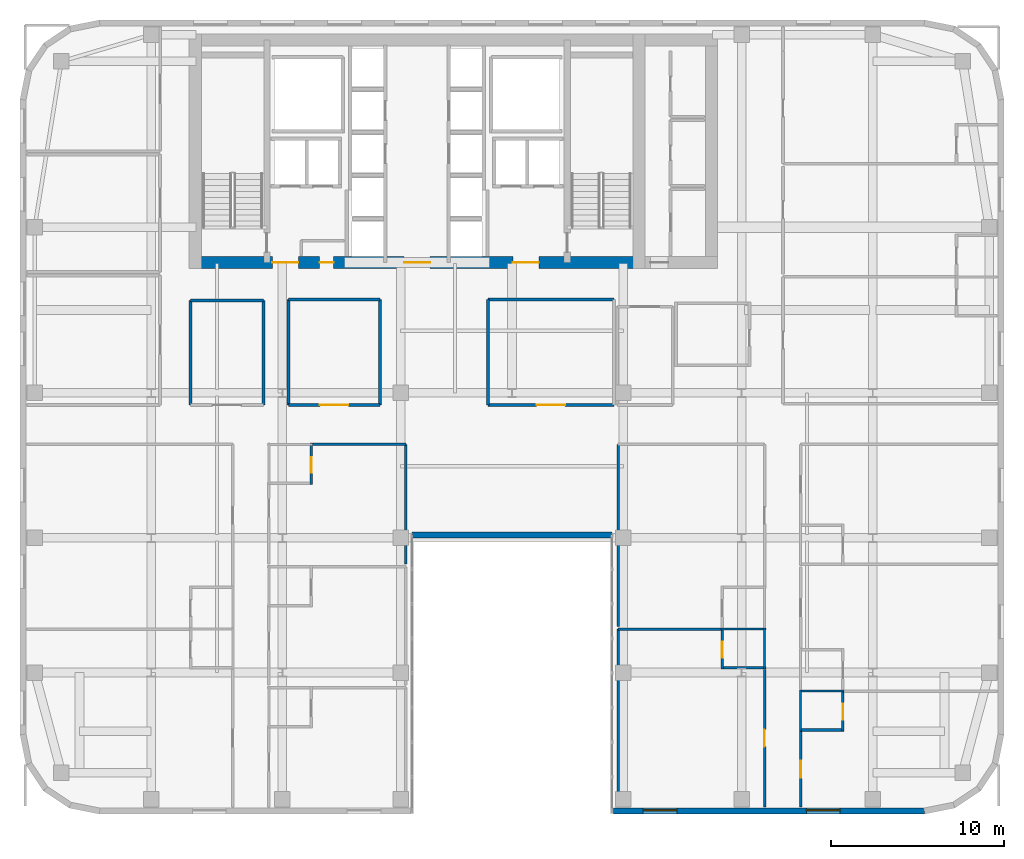
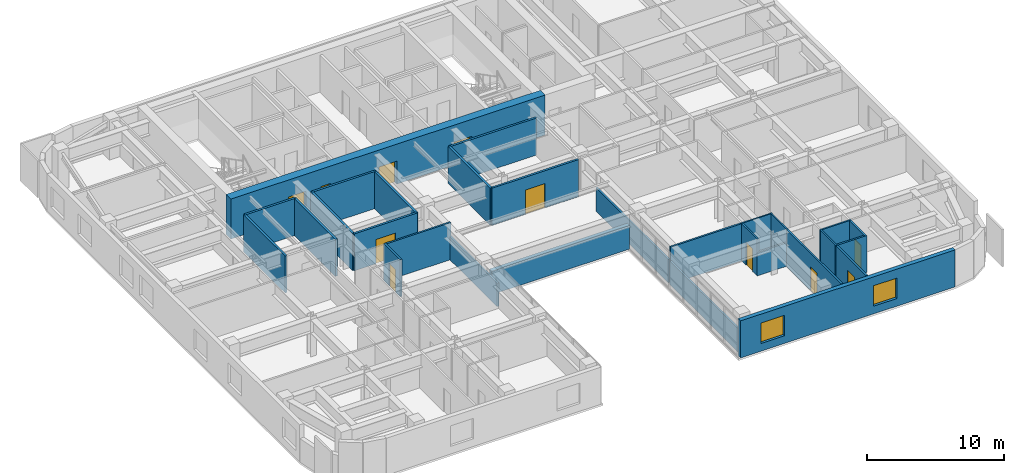
# One storey, part 10 of 15: 29 walls, 11 doors, 2 windows, 13 openings.
"""IFC4 building model written with IfcOpenShell, lengths in metres."""

from ifc_helpers import new_model, si_unit, direction, frame, frame_2d, origin, place, context, subcontext, project, spatial, rectangle, extrude, source, transform, mapped, material, layer, layer_set, type_object, type_shapes, element, fill, save


model = new_model("IFC4")

# Units and contexts
model_context = context("Model", 3, precision=1e-05, world=origin(), true_north=direction((0.0, 1.0)))
body_context = subcontext(model_context, "Body", "Model", "MODEL_VIEW")
ifc_project = project(units=[si_unit("LENGTHUNIT", "METRE"), si_unit("AREAUNIT", "SQUARE_METRE"), si_unit("VOLUMEUNIT", "CUBIC_METRE"), si_unit("PLANEANGLEUNIT", "RADIAN"), si_unit("MASSUNIT", "GRAM", prefix="KILO")], contexts=[model_context])

# Site, building, storey
site_placement = place(None, origin())
site = spatial("IfcSite", under=ifc_project, at=site_placement, CompositionType="ELEMENT")
building_placement = place(site_placement, origin())
building = spatial("IfcBuilding", under=site, at=building_placement, Name="Tolvann Quenvar Hotel", CompositionType="ELEMENT")
storey_placement = place(building_placement, frame((0.0, 0.0, 143.5)))
storey = spatial("IfcBuildingStorey", under=building, at=storey_placement, Name="L37", CompositionType="ELEMENT", Elevation=143.5)

# Wall, openings, doors
ifc_material_1 = material(Name="Concrete S65 (65 MPa)", Category="concrete")
ifc_layer_1 = layer(ifc_material_1, 0.699951171875)
ifc_layer_set_1 = layer_set([ifc_layer_1], Name="Concrete S65 (65 MPa)")
wall_type_1 = type_object("IfcWallType", Name="WALL_CORE_700", PredefinedType="SHEAR", material=ifc_layer_set_1)
wall_1_placement = place(storey_placement, frame((9.800048828125, 31.949951171875, 0.0), z_axis=(0.0, 0.0, 1.0), x_axis=(1.0, 0.0, 0.0)))
wall_1 = element("IfcWall", 1, at=wall_1_placement, inside=storey, type_object=wall_type_1, Name="Rear Core S Shear Wall (L37)", PredefinedType="SHEAR", context=body_context, shape_type="SweptSolid", body=[
    extrude(rectangle(XDim=26.39990234375, YDim=0.699951171875, at=frame_2d((13.199951171875, 0.0))), origin(), (0.0, 0.0, 1.0), 3.550048828125),
])
opening_1_placement = place(wall_1_placement, frame((6.320068359375, 0.0, 0.0), z_axis=(0.0, 0.0, 1.0), x_axis=(-1.0, 0.0, 0.0)))
opening_1 = element("IfcOpeningElement", 2, at=opening_1_placement, cuts=wall_1, Name="Opening FD-60D", PredefinedType="OPENING", context=body_context, shape_type="SweptSolid", body=[
    extrude(rectangle(XDim=1.5, YDim=2.0400390625, at=frame_2d((0.75, 1.02001953125))), frame((0.0, 0.35986328125, 0.0), z_axis=(0.0, -1.0, 0.0), x_axis=(1.0, 0.0, 0.0)), (0.0, 0.0, 1.0), 0.719970703125),
])
opening_2_placement = place(wall_1_placement, frame((13.949951171875, 0.0, 0.0), z_axis=(0.0, 0.0, 1.0), x_axis=(-1.0, 0.0, 0.0)))
opening_2 = element("IfcOpeningElement", 3, at=opening_2_placement, cuts=wall_1, Name="Opening FD-60D", PredefinedType="OPENING", context=body_context, shape_type="SweptSolid", body=[
    extrude(rectangle(XDim=1.5, YDim=2.0400390625, at=frame_2d((0.75, 1.02001953125))), frame((0.0, 0.35986328125, 0.0), z_axis=(0.0, -1.0, 0.0), x_axis=(1.0, 0.0, 0.0)), (0.0, 0.0, 1.0), 0.719970703125),
])
opening_3_placement = place(wall_1_placement, frame((20.25, 0.0, 0.0), z_axis=(0.0, 0.0, 1.0), x_axis=(-1.0, 0.0, 0.0)))
opening_3 = element("IfcOpeningElement", 4, at=opening_3_placement, cuts=wall_1, Name="Opening FD-60D", PredefinedType="OPENING", context=body_context, shape_type="SweptSolid", body=[
    extrude(rectangle(XDim=1.5, YDim=2.0400390625, at=frame_2d((0.75, 1.02001953125))), frame((0.0, 0.35986328125, 0.0), z_axis=(0.0, -1.0, 0.0), x_axis=(1.0, 0.0, 0.0)), (0.0, 0.0, 1.0), 0.719970703125),
])
opening_4_placement = place(wall_1_placement, frame((8.3701171875, 0.0, 0.0), z_axis=(0.0, 0.0, 1.0), x_axis=(-1.0, 0.0, 0.0)))
opening_4 = element("IfcOpeningElement", 5, at=opening_4_placement, cuts=wall_1, Name="Opening HD-02", PredefinedType="OPENING", context=body_context, shape_type="SweptSolid", body=[
    extrude(rectangle(XDim=0.820068359375, YDim=2.010009765625, at=frame_2d((0.41015625, 1.0048828125))), frame((0.0, 0.35986328125, 0.0), z_axis=(0.0, -1.0, 0.0), x_axis=(1.0, 0.0, 0.0)), (0.0, 0.0, 1.0), 0.719970703125),
])
ifc_material_2 = material(Name="Solid-core American oak acoustic fire door leaf in steel frame", Category="steel")
door_type_1 = type_object("IfcDoorType", Name="DOOR_FIRE_LOBBY_1500", OperationType="NOTDEFINED", PredefinedType="DOOR", material=ifc_material_2)
shared_shape_1 = source(origin(), body_context, "Body", "SweptSolid", [
    extrude(rectangle(XDim=1.5, YDim=2.0400390625, at=frame_2d((0.75, 1.02001953125))), frame((0.0, 0.02490234375, 0.0), z_axis=(0.0, -1.0, 0.0), x_axis=(1.0, 0.0, 0.0)), (0.0, 0.0, 1.0), 0.050048828125),
])
type_shapes(door_type_1, [shared_shape_1])
door_1_placement = place(opening_1_placement, origin())
door_1 = element("IfcDoor", 6, at=door_1_placement, inside=storey, type_object=door_type_1, Name="Core Lobby Fire Door FFW (L37)", OperationType="DOUBLE_DOOR_SINGLE_SWING", OverallHeight=2.0400390625, OverallWidth=1.5, PredefinedType="DOOR", context=body_context, shape_type="MappedRepresentation", body=[
    mapped(shared_shape_1, transform((0.0, 0.0, 0.0), x_axis=(1.0, 0.0, 0.0), y_axis=(0.0, 1.0, 0.0), z_axis=(0.0, 0.0, 1.0), scale=1.0)),
])
fill(opening_1, door_1)
door_2_placement = place(opening_2_placement, origin())
door_2 = element("IfcDoor", 7, at=door_2_placement, inside=storey, type_object=door_type_1, Name="Core Lobby Fire Door CLOB (L37)", OperationType="DOUBLE_DOOR_SINGLE_SWING", OverallHeight=2.0400390625, OverallWidth=1.5, PredefinedType="DOOR", context=body_context, shape_type="MappedRepresentation", body=[
    mapped(shared_shape_1, transform((0.0, 0.0, 0.0), x_axis=(1.0, 0.0, 0.0), y_axis=(0.0, 1.0, 0.0), z_axis=(0.0, 0.0, 1.0), scale=1.0)),
])
fill(opening_2, door_2)
door_3_placement = place(opening_3_placement, origin())
door_3 = element("IfcDoor", 8, at=door_3_placement, inside=storey, type_object=door_type_1, Name="Core Lobby Fire Door FFE (L37)", OperationType="DOUBLE_DOOR_SINGLE_SWING", OverallHeight=2.0400390625, OverallWidth=1.5, PredefinedType="DOOR", context=body_context, shape_type="MappedRepresentation", body=[
    mapped(shared_shape_1, transform((0.0, 0.0, 0.0), x_axis=(1.0, 0.0, 0.0), y_axis=(0.0, 1.0, 0.0), z_axis=(0.0, 0.0, 1.0), scale=1.0)),
])
fill(opening_3, door_3)
ifc_material_3 = material(Name="Pressed galvanised steel fire-rated door set", Category="steel")
door_type_2 = type_object("IfcDoorType", Name="DOOR_STORE_820", OperationType="NOTDEFINED", PredefinedType="DOOR", material=ifc_material_3)
shared_shape_2 = source(origin(), body_context, "Body", "SweptSolid", [
    extrude(rectangle(XDim=0.820068359375, YDim=2.010009765625, at=frame_2d((0.41015625, 1.0048828125))), frame((0.0, 0.02490234375, 0.0), z_axis=(0.0, -1.0, 0.0), x_axis=(1.0, 0.0, 0.0)), (0.0, 0.0, 1.0), 0.050048828125),
])
type_shapes(door_type_2, [shared_shape_2])
door_4_placement = place(opening_4_placement, origin())
door_4 = element("IfcDoor", 9, at=door_4_placement, inside=storey, type_object=door_type_2, Name="Core Linen Store Fire Door (L37)", OperationType="SINGLE_SWING_LEFT", OverallHeight=2.010009765625, OverallWidth=0.820068359375, PredefinedType="DOOR", context=body_context, shape_type="MappedRepresentation", body=[
    mapped(shared_shape_2, transform((0.0, 0.0, 0.0), x_axis=(1.0, 0.0, 0.0), y_axis=(0.0, 1.0, 0.0), z_axis=(0.0, 0.0, 1.0), scale=1.0)),
])
fill(opening_4, door_4)

# Wall
ifc_material_4 = material(Name="Kiln-fired red and buff architectural clay brickwork and terracotta masonry", Category="masonry")
ifc_layer_2 = layer(ifc_material_4, 0.35009765625)
ifc_layer_set_2 = layer_set([ifc_layer_2], Name="Kiln-fired red and buff architectural clay brickwork and terracotta masonry")
wall_type_2 = type_object("IfcWallType", Name="WALL_EXT_BRICK_350", PredefinedType="SOLIDWALL", material=ifc_layer_set_2)
wall_2_placement = place(storey_placement, frame((22.7099609375, 16.175048828125, 0.0), z_axis=(0.0, 0.0, 1.0), x_axis=(1.0, 0.0, 0.0)))
element("IfcWall", 10, at=wall_2_placement, inside=storey, type_object=wall_type_2, Name="Exterior Chicago Brick Wall L37-E06", PredefinedType="SOLIDWALL", context=body_context, shape_type="SweptSolid", body=[
    extrude(rectangle(XDim=11.580078125, YDim=0.35009765625, at=frame_2d((5.7900390625, 0.0))), origin(), (0.0, 0.0, 1.0), 2.080078125),
])

# Wall, openings, windows
wall_3_placement = place(storey_placement, frame((34.375, 0.175048828125, 0.0), z_axis=(0.0, 0.0, 1.0), x_axis=(1.0, 0.0, 0.0)))
wall_3 = element("IfcWall", 11, at=wall_3_placement, inside=storey, type_object=wall_type_2, Name="Exterior Chicago Brick Wall L37-E08", PredefinedType="SOLIDWALL", context=body_context, shape_type="SweptSolid", body=[
    extrude(rectangle(XDim=18.0078125, YDim=0.35009765625, at=frame_2d((9.00390625, 0.0))), origin(), (0.0, 0.0, 1.0), 3.2900390625),
])
opening_5_placement = place(wall_3_placement, frame((1.72607421875, 0.0, 0.679931640625)))
opening_5 = element("IfcOpeningElement", 12, at=opening_5_placement, cuts=wall_3, Name="Opening W-10", PredefinedType="OPENING", context=body_context, shape_type="SweptSolid", body=[
    extrude(rectangle(XDim=1.949951171875, YDim=1.820068359375, at=frame_2d((0.97509765625, 0.91015625))), frame((0.0, 0.18505859375, 0.0), z_axis=(0.0, -1.0, 0.0), x_axis=(1.0, 0.0, 0.0)), (0.0, 0.0, 1.0), 0.3701171875),
])
opening_6_placement = place(wall_3_placement, frame((11.179931640625, 0.0, 0.679931640625)))
opening_6 = element("IfcOpeningElement", 13, at=opening_6_placement, cuts=wall_3, Name="Opening W-10", PredefinedType="OPENING", context=body_context, shape_type="SweptSolid", body=[
    extrude(rectangle(XDim=1.949951171875, YDim=1.820068359375, at=frame_2d((0.97509765625, 0.91015625))), frame((0.0, 0.18505859375, 0.0), z_axis=(0.0, -1.0, 0.0), x_axis=(1.0, 0.0, 0.0)), (0.0, 0.0, 1.0), 0.3701171875),
])
ifc_material_5 = material(Name="Thermally broken bronze-anodised aluminium frame with double low-E glazing", Category="aluminium")
window_type = type_object("IfcWindowType", Name="WIN_CLB_1950x1850", PartitioningType="DOUBLE_PANEL_VERTICAL", PredefinedType="WINDOW", material=ifc_material_5)
shared_shape_3 = source(origin(), body_context, "Body", "SweptSolid", [
    extrude(rectangle(XDim=1.949951171875, YDim=1.820068359375, at=frame_2d((0.97509765625, 0.91015625))), frame((0.0, 0.090087890625, 0.0), z_axis=(0.0, -1.0, 0.0), x_axis=(1.0, 0.0, 0.0)), (0.0, 0.0, 1.0), 0.06005859375),
])
type_shapes(window_type, [shared_shape_3])
window_1_placement = place(opening_5_placement, origin())
window_1 = element("IfcWindow", 14, at=window_1_placement, inside=storey, type_object=window_type, Name="Chicago Window W-10 (EW-L37-E08-W01)", OverallHeight=1.820068359375, OverallWidth=1.949951171875, PartitioningType="DOUBLE_PANEL_VERTICAL", PredefinedType="WINDOW", context=body_context, shape_type="MappedRepresentation", body=[
    mapped(shared_shape_3, transform((0.0, 0.0, 0.0), x_axis=(1.0, 0.0, 0.0), y_axis=(0.0, 1.0, 0.0), z_axis=(0.0, 0.0, 1.0), scale=1.0)),
])
fill(opening_5, window_1)
window_2_placement = place(opening_6_placement, origin())
window_2 = element("IfcWindow", 15, at=window_2_placement, inside=storey, type_object=window_type, Name="Chicago Window W-10 (EW-L37-E08-W02)", OverallHeight=1.820068359375, OverallWidth=1.949951171875, PartitioningType="DOUBLE_PANEL_VERTICAL", PredefinedType="WINDOW", context=body_context, shape_type="MappedRepresentation", body=[
    mapped(shared_shape_3, transform((0.0, 0.0, 0.0), x_axis=(1.0, 0.0, 0.0), y_axis=(0.0, 1.0, 0.0), z_axis=(0.0, 0.0, 1.0), scale=1.0)),
])
fill(opening_6, window_2)

# Walls
ifc_material_6 = material(Name="Acoustic twin-stud fire-rated gypsum plasterboard partition")
ifc_layer_3 = layer(ifc_material_6, 0.179931640625)
ifc_layer_set_3 = layer_set([ifc_layer_3], Name="Acoustic twin-stud fire-rated gypsum plasterboard partition")
wall_type_3 = type_object("IfcWallType", Name="WALL_PART_ACOUSTIC_180", PredefinedType="PARTITIONING", material=ifc_layer_set_3)
wall_4_placement = place(storey_placement, frame((9.8798828125, 29.75, 0.0), z_axis=(0.0, 0.0, 1.0), x_axis=(1.0, 0.0, 0.0)))
element("IfcWall", 16, at=wall_4_placement, inside=storey, type_object=wall_type_3, Name="Interior Partition PT-SPC-L37-MSP-W-N", PredefinedType="PARTITIONING", context=body_context, shape_type="SweptSolid", body=[
    extrude(rectangle(XDim=4.22021484375, YDim=0.179931640625, at=frame_2d((2.110107421875, 0.0))), origin(), (0.0, 0.0, 1.0), 3.2900390625),
])
for number, where, z_axis, x_axis, name in (
    (17, (9.8798828125, 23.699951171875, 0.0), (0.0, 0.0, 1.0), (0.0, 1.0, 0.0), "Interior Partition PT-SPC-L37-MSP-W-W"),
    (18, (14.10009765625, 23.699951171875, 0.0), (0.0, 0.0, 1.0), (0.0, 1.0, 0.0), "Interior Partition PT-SPC-L37-MSP-W-E"),
):
    element("IfcWall", number, at=place(storey_placement, frame(where, z_axis=z_axis, x_axis=x_axis)), inside=storey, type_object=wall_type_3, Name=name, PredefinedType="PARTITIONING", context=body_context, shape_type="SweptSolid", body=[
        extrude(rectangle(XDim=6.050048828125, YDim=0.179931640625, at=frame_2d((3.02490234375, 0.0))), origin(), (0.0, 0.0, 1.0), 3.2900390625),
    ])

# Wall, opening, door
wall_5_placement = place(storey_placement, frame((27.10009765625, 23.699951171875, 0.0), z_axis=(0.0, 0.0, 1.0), x_axis=(1.0, 0.0, 0.0)))
wall_5 = element("IfcWall", 19, at=wall_5_placement, inside=storey, type_object=wall_type_3, Name="Interior Partition PT-SPC-L37-MSP-C-S", PredefinedType="PARTITIONING", context=body_context, shape_type="SweptSolid", body=[
    extrude(rectangle(XDim=7.2998046875, YDim=0.179931640625, at=frame_2d((3.64990234375, 0.0))), origin(), (0.0, 0.0, 1.0), 3.2900390625),
])
opening_7_placement = place(wall_5_placement, frame((2.824951171875, 0.0, 0.0)))
opening_7 = element("IfcOpeningElement", 20, at=opening_7_placement, cuts=wall_5, Name="Opening AD-01", PredefinedType="OPENING", context=body_context, shape_type="SweptSolid", body=[
    extrude(rectangle(XDim=1.64990234375, YDim=2.14990234375, at=frame_2d((0.824951171875, 1.074951171875))), frame((0.0, 0.10009765625, 0.0), z_axis=(0.0, -1.0, 0.0), x_axis=(1.0, 0.0, 0.0)), (0.0, 0.0, 1.0), 0.199951171875),
])
door_type_3 = type_object("IfcDoorType", Name="DOOR_SALON_1650", OperationType="NOTDEFINED", PredefinedType="DOOR", material=ifc_material_2)
shared_shape_4 = source(origin(), body_context, "Body", "SweptSolid", [
    extrude(rectangle(XDim=1.64990234375, YDim=2.14990234375, at=frame_2d((0.824951171875, 1.074951171875))), frame((0.0, 0.02490234375, 0.0), z_axis=(0.0, -1.0, 0.0), x_axis=(1.0, 0.0, 0.0)), (0.0, 0.0, 1.0), 0.050048828125),
])
type_shapes(door_type_3, [shared_shape_4])
door_5_placement = place(opening_7_placement, origin())
door_5 = element("IfcDoor", 21, at=door_5_placement, inside=storey, type_object=door_type_3, Name="Interior Door DOOR-SPC-L37-MSP-C", OperationType="DOUBLE_DOOR_SINGLE_SWING", OverallHeight=2.14990234375, OverallWidth=1.64990234375, PredefinedType="DOOR", context=body_context, shape_type="MappedRepresentation", body=[
    mapped(shared_shape_4, transform((0.0, 0.0, 0.0), x_axis=(1.0, 0.0, 0.0), y_axis=(0.0, 1.0, 0.0), z_axis=(0.0, 0.0, 1.0), scale=1.0)),
])
fill(opening_7, door_5)

# Walls
wall_6_placement = place(storey_placement, frame((27.10009765625, 29.800048828125, 0.0), z_axis=(0.0, 0.0, 1.0), x_axis=(1.0, 0.0, 0.0)))
element("IfcWall", 22, at=wall_6_placement, inside=storey, type_object=wall_type_3, Name="Interior Partition PT-SPC-L37-MSP-C-N", PredefinedType="PARTITIONING", context=body_context, shape_type="SweptSolid", body=[
    extrude(rectangle(XDim=7.2998046875, YDim=0.179931640625, at=frame_2d((3.64990234375, 0.0))), origin(), (0.0, 0.0, 1.0), 3.2900390625),
])
wall_7_placement = place(storey_placement, frame((27.10009765625, 23.699951171875, 0.0), z_axis=(0.0, 0.0, 1.0), x_axis=(0.0, 1.0, 0.0)))
element("IfcWall", 23, at=wall_7_placement, inside=storey, type_object=wall_type_3, Name="Interior Partition PT-SPC-L37-MSP-C-W", PredefinedType="PARTITIONING", context=body_context, shape_type="SweptSolid", body=[
    extrude(rectangle(XDim=6.10009765625, YDim=0.179931640625, at=frame_2d((3.050048828125, 0.0))), origin(), (0.0, 0.0, 1.0), 3.2900390625),
])

# Wall, opening, door
wall_8_placement = place(storey_placement, frame((15.550048828125, 23.699951171875, 0.0), z_axis=(0.0, 0.0, 1.0), x_axis=(1.0, 0.0, 0.0)))
wall_8 = element("IfcWall", 24, at=wall_8_placement, inside=storey, type_object=wall_type_3, Name="Interior Partition PT-SPC-L37-MSP-N-S", PredefinedType="PARTITIONING", context=body_context, shape_type="SweptSolid", body=[
    extrude(rectangle(XDim=5.300048828125, YDim=0.179931640625, at=frame_2d((2.64990234375, 0.0))), origin(), (0.0, 0.0, 1.0), 3.2900390625),
])
opening_8_placement = place(wall_8_placement, frame((1.824951171875, 0.0, 0.0)))
opening_8 = element("IfcOpeningElement", 25, at=opening_8_placement, cuts=wall_8, Name="Opening AD-01", PredefinedType="OPENING", context=body_context, shape_type="SweptSolid", body=[
    extrude(rectangle(XDim=1.64990234375, YDim=2.14990234375, at=frame_2d((0.824951171875, 1.074951171875))), frame((0.0, 0.10009765625, 0.0), z_axis=(0.0, -1.0, 0.0), x_axis=(1.0, 0.0, 0.0)), (0.0, 0.0, 1.0), 0.199951171875),
])
door_6_placement = place(opening_8_placement, origin())
door_6 = element("IfcDoor", 26, at=door_6_placement, inside=storey, type_object=door_type_3, Name="Interior Door DOOR-SPC-L37-MSP-N", OperationType="DOUBLE_DOOR_SINGLE_SWING", OverallHeight=2.14990234375, OverallWidth=1.64990234375, PredefinedType="DOOR", context=body_context, shape_type="MappedRepresentation", body=[
    mapped(shared_shape_4, transform((0.0, 0.0, 0.0), x_axis=(1.0, 0.0, 0.0), y_axis=(0.0, 1.0, 0.0), z_axis=(0.0, 0.0, 1.0), scale=1.0)),
])
fill(opening_8, door_6)

# Walls
wall_9_placement = place(storey_placement, frame((15.550048828125, 29.800048828125, 0.0), z_axis=(0.0, 0.0, 1.0), x_axis=(1.0, 0.0, 0.0)))
element("IfcWall", 27, at=wall_9_placement, inside=storey, type_object=wall_type_3, Name="Interior Partition PT-SPC-L37-MSP-N-N", PredefinedType="PARTITIONING", context=body_context, shape_type="SweptSolid", body=[
    extrude(rectangle(XDim=5.300048828125, YDim=0.179931640625, at=frame_2d((2.64990234375, 0.0))), origin(), (0.0, 0.0, 1.0), 3.2900390625),
])
for number, where, z_axis, x_axis, name in (
    (28, (15.550048828125, 23.699951171875, 0.0), (0.0, 0.0, 1.0), (0.0, 1.0, 0.0), "Interior Partition PT-SPC-L37-MSP-N-W"),
    (29, (20.85009765625, 23.699951171875, 0.0), (0.0, 0.0, 1.0), (0.0, 1.0, 0.0), "Interior Partition PT-SPC-L37-MSP-N-E"),
):
    element("IfcWall", number, at=place(storey_placement, frame(where, z_axis=z_axis, x_axis=x_axis)), inside=storey, type_object=wall_type_3, Name=name, PredefinedType="PARTITIONING", context=body_context, shape_type="SweptSolid", body=[
        extrude(rectangle(XDim=6.10009765625, YDim=0.179931640625, at=frame_2d((3.050048828125, 0.0))), origin(), (0.0, 0.0, 1.0), 3.2900390625),
    ])
ifc_material_7 = material(Name="Moisture-resistant acoustic plumbing wall assembly")
ifc_layer_4 = layer(ifc_material_7, 0.1201171875)
ifc_layer_set_4 = layer_set([ifc_layer_4], Name="Moisture-resistant acoustic plumbing wall assembly")
wall_type_4 = type_object("IfcWallType", Name="WALL_PART_BATH_120", PredefinedType="PLUMBINGWALL", material=ifc_layer_set_4)
wall_10_placement = place(storey_placement, frame((40.610107421875, 10.719970703125, 0.0), z_axis=(0.0, 0.0, 1.0), x_axis=(1.0, 0.0, 0.0)))
element("IfcWall", 30, at=wall_10_placement, inside=storey, type_object=wall_type_4, Name="Non-Rated Plumbing Partition PT-SPC-L37-ENS-EI01-N", PredefinedType="PLUMBINGWALL", context=body_context, shape_type="SweptSolid", body=[
    extrude(rectangle(XDim=2.58984375, YDim=0.1201171875, at=frame_2d((1.294921875, 0.0))), origin(), (0.0, 0.0, 1.0), 3.2900390625),
])
wall_11_placement = place(storey_placement, frame((43.1298828125, 8.39990234375, 0.0), z_axis=(0.0, 0.0, 1.0), x_axis=(0.0, 1.0, 0.0)))
element("IfcWall", 31, at=wall_11_placement, inside=storey, type_object=wall_type_4, Name="Non-Rated Plumbing Partition PT-SPC-L37-ENS-EI01-E", PredefinedType="PLUMBINGWALL", context=body_context, shape_type="SweptSolid", body=[
    extrude(rectangle(XDim=2.39013671875, YDim=0.1201171875, at=frame_2d((1.195068359375, 0.0))), origin(), (0.0, 0.0, 1.0), 3.2900390625),
])
wall_12_placement = place(storey_placement, frame((45.14990234375, 7.1201171875, 0.0), z_axis=(0.0, 0.0, 1.0), x_axis=(1.0, 0.0, 0.0)))
element("IfcWall", 32, at=wall_12_placement, inside=storey, type_object=wall_type_4, Name="Non-Rated Plumbing Partition PT-SPC-L37-ENS-EO01-N", PredefinedType="PLUMBINGWALL", context=body_context, shape_type="SweptSolid", body=[
    extrude(rectangle(XDim=2.590087890625, YDim=0.1201171875, at=frame_2d((1.294921875, 0.0))), origin(), (0.0, 0.0, 1.0), 3.2900390625),
])
wall_13_placement = place(storey_placement, frame((45.219970703125, 4.800048828125, 0.0), z_axis=(0.0, 0.0, 1.0), x_axis=(0.0, 1.0, 0.0)))
element("IfcWall", 33, at=wall_13_placement, inside=storey, type_object=wall_type_4, Name="Non-Rated Plumbing Partition PT-SPC-L37-ENS-EO01-W", PredefinedType="PLUMBINGWALL", context=body_context, shape_type="SweptSolid", body=[
    extrude(rectangle(XDim=2.389892578125, YDim=0.1201171875, at=frame_2d((1.19482421875, 0.0))), origin(), (0.0, 0.0, 1.0), 3.2900390625),
])

# Wall, opening, door
ifc_layer_5 = layer(ifc_material_6, 0.14990234375)
ifc_layer_set_5 = layer_set([ifc_layer_5], Name="Acoustic twin-stud fire-rated gypsum plasterboard partition")
wall_type_5 = type_object("IfcWallType", Name="WALL_PART_SUITE_150", PredefinedType="PARTITIONING", material=ifc_layer_set_5)
wall_14_placement = place(storey_placement, frame((16.8701171875, 19.10009765625, 0.0), z_axis=(0.0, 0.0, 1.0), x_axis=(0.0, 1.0, 0.0)))
wall_14 = element("IfcWall", 34, at=wall_14_placement, inside=storey, type_object=wall_type_5, Name="Interior Partition PT-SPC-L37-ENS-WI03-ENT", PredefinedType="PARTITIONING", context=body_context, shape_type="SweptSolid", body=[
    extrude(rectangle(XDim=2.389892578125, YDim=0.14990234375, at=frame_2d((1.19482421875, 0.0))), origin(), (0.0, 0.0, 1.0), 3.2900390625),
])
opening_9_placement = place(wall_14_placement, frame((0.6650390625, 0.0, 0.0)))
opening_9 = element("IfcOpeningElement", 35, at=opening_9_placement, cuts=wall_14, Name="Opening WD-01", PredefinedType="OPENING", context=body_context, shape_type="SweptSolid", body=[
    extrude(rectangle(XDim=0.919921875, YDim=2.010009765625, at=frame_2d((0.4599609375, 1.0048828125))), frame((0.0, 0.0849609375, 0.0), z_axis=(0.0, -1.0, 0.0), x_axis=(1.0, 0.0, 0.0)), (0.0, 0.0, 1.0), 0.169921875),
])
door_type_4 = type_object("IfcDoorType", Name="DOOR_WC_920", OperationType="NOTDEFINED", PredefinedType="DOOR", material=ifc_material_2)
shared_shape_5 = source(origin(), body_context, "Body", "SweptSolid", [
    extrude(rectangle(XDim=0.919921875, YDim=2.010009765625, at=frame_2d((0.4599609375, 1.0048828125))), frame((0.0, 0.02490234375, 0.0), z_axis=(0.0, -1.0, 0.0), x_axis=(1.0, 0.0, 0.0)), (0.0, 0.0, 1.0), 0.050048828125),
])
type_shapes(door_type_4, [shared_shape_5])
door_7_placement = place(opening_9_placement, origin())
door_7 = element("IfcDoor", 36, at=door_7_placement, inside=storey, type_object=door_type_4, Name="Interior Door DOOR-SPC-L37-ENS-WI03", OperationType="SINGLE_SWING_LEFT", OverallHeight=2.010009765625, OverallWidth=0.919921875, PredefinedType="DOOR", context=body_context, shape_type="MappedRepresentation", body=[
    mapped(shared_shape_5, transform((0.0, 0.0, 0.0), x_axis=(1.0, 0.0, 0.0), y_axis=(0.0, 1.0, 0.0), z_axis=(0.0, 0.0, 1.0), scale=1.0)),
])
fill(opening_9, door_7)

wall_15_placement = place(storey_placement, frame((40.679931640625, 8.39990234375, 0.0), z_axis=(0.0, 0.0, 1.0), x_axis=(0.0, 1.0, 0.0)))
wall_15 = element("IfcWall", 37, at=wall_15_placement, inside=storey, type_object=wall_type_5, Name="Interior Partition PT-SPC-L37-ENS-EI01-ENT", PredefinedType="PARTITIONING", context=body_context, shape_type="SweptSolid", body=[
    extrude(rectangle(XDim=2.39013671875, YDim=0.14990234375, at=frame_2d((1.195068359375, 0.0))), origin(), (0.0, 0.0, 1.0), 3.2900390625),
])
opening_10_placement = place(wall_15_placement, frame((0.6650390625, 0.0, 0.0)))
opening_10 = element("IfcOpeningElement", 38, at=opening_10_placement, cuts=wall_15, Name="Opening WD-01", PredefinedType="OPENING", context=body_context, shape_type="SweptSolid", body=[
    extrude(rectangle(XDim=0.919921875, YDim=2.010009765625, at=frame_2d((0.4599609375, 1.0048828125))), frame((0.0, 0.0849609375, 0.0), z_axis=(0.0, -1.0, 0.0), x_axis=(1.0, 0.0, 0.0)), (0.0, 0.0, 1.0), 0.169921875),
])
door_8_placement = place(opening_10_placement, origin())
door_8 = element("IfcDoor", 39, at=door_8_placement, inside=storey, type_object=door_type_4, Name="Interior Door DOOR-SPC-L37-ENS-EI01", OperationType="SINGLE_SWING_RIGHT", OverallHeight=2.010009765625, OverallWidth=0.919921875, PredefinedType="DOOR", context=body_context, shape_type="MappedRepresentation", body=[
    mapped(shared_shape_5, transform((0.0, 0.0, 0.0), x_axis=(1.0, 0.0, 0.0), y_axis=(0.0, 1.0, 0.0), z_axis=(0.0, 0.0, 1.0), scale=1.0)),
])
fill(opening_10, door_8)

# Wall
wall_16_placement = place(storey_placement, frame((40.610107421875, 8.469970703125, 0.0), z_axis=(0.0, 0.0, 1.0), x_axis=(1.0, 0.0, 0.0)))
element("IfcWall", 40, at=wall_16_placement, inside=storey, type_object=wall_type_5, Name="Interior Partition PT-SPC-L37-ENS-EI01-S", PredefinedType="PARTITIONING", context=body_context, shape_type="SweptSolid", body=[
    extrude(rectangle(XDim=2.58984375, YDim=0.14990234375, at=frame_2d((1.294921875, 0.0))), origin(), (0.0, 0.0, 1.0), 2.080078125),
])

# Wall, opening, door
wall_17_placement = place(storey_placement, frame((47.669921875, 4.800048828125, 0.0), z_axis=(0.0, 0.0, 1.0), x_axis=(0.0, 1.0, 0.0)))
wall_17 = element("IfcWall", 41, at=wall_17_placement, inside=storey, type_object=wall_type_5, Name="Interior Partition PT-SPC-L37-ENS-EO01-ENT", PredefinedType="PARTITIONING", context=body_context, shape_type="SweptSolid", body=[
    extrude(rectangle(XDim=2.389892578125, YDim=0.14990234375, at=frame_2d((1.19482421875, 0.0))), origin(), (0.0, 0.0, 1.0), 3.2900390625),
])
opening_11_placement = place(wall_17_placement, frame((0.6650390625, 0.0, 0.0)))
opening_11 = element("IfcOpeningElement", 42, at=opening_11_placement, cuts=wall_17, Name="Opening WD-01", PredefinedType="OPENING", context=body_context, shape_type="SweptSolid", body=[
    extrude(rectangle(XDim=0.919921875, YDim=2.010009765625, at=frame_2d((0.4599609375, 1.0048828125))), frame((0.0, 0.0849609375, 0.0), z_axis=(0.0, -1.0, 0.0), x_axis=(1.0, 0.0, 0.0)), (0.0, 0.0, 1.0), 0.169921875),
])
door_9_placement = place(opening_11_placement, origin())
door_9 = element("IfcDoor", 43, at=door_9_placement, inside=storey, type_object=door_type_4, Name="Interior Door DOOR-SPC-L37-ENS-EO01", OperationType="SINGLE_SWING_RIGHT", OverallHeight=2.010009765625, OverallWidth=0.919921875, PredefinedType="DOOR", context=body_context, shape_type="MappedRepresentation", body=[
    mapped(shared_shape_5, transform((0.0, 0.0, 0.0), x_axis=(1.0, 0.0, 0.0), y_axis=(0.0, 1.0, 0.0), z_axis=(0.0, 0.0, 1.0), scale=1.0)),
])
fill(opening_11, door_9)

# Walls
wall_18_placement = place(storey_placement, frame((45.14990234375, 4.8701171875, 0.0), z_axis=(0.0, 0.0, 1.0), x_axis=(1.0, 0.0, 0.0)))
element("IfcWall", 44, at=wall_18_placement, inside=storey, type_object=wall_type_5, Name="Interior Partition PT-SPC-L37-ENS-EO01-S", PredefinedType="PARTITIONING", context=body_context, shape_type="SweptSolid", body=[
    extrude(rectangle(XDim=2.590087890625, YDim=0.14990234375, at=frame_2d((1.294921875, 0.0))), origin(), (0.0, 0.0, 1.0), 3.2900390625),
])
wall_19_placement = place(storey_placement, frame((22.35009765625, 14.47998046875, 0.0), z_axis=(0.0, 0.0, 1.0), x_axis=(0.0, 1.0, 0.0)))
element("IfcWall", 45, at=wall_19_placement, inside=storey, type_object=wall_type_5, Name="Interior Partition PT-SPC-L37-RM-WI03-E2", PredefinedType="PARTITIONING", context=body_context, shape_type="SweptSolid", body=[
    extrude(rectangle(XDim=6.93994140625, YDim=0.14990234375, at=frame_2d((3.469970703125, 0.0))), origin(), (0.0, 0.0, 1.0), 2.080078125),
])
wall_20_placement = place(storey_placement, frame((16.889892578125, 21.419921875, 0.0), z_axis=(0.0, 0.0, 1.0), x_axis=(1.0, 0.0, 0.0)))
element("IfcWall", 46, at=wall_20_placement, inside=storey, type_object=wall_type_5, Name="Interior Partition PT-SPC-L37-RM-WI03-E3", PredefinedType="PARTITIONING", context=body_context, shape_type="SweptSolid", body=[
    extrude(rectangle(XDim=5.460205078125, YDim=0.14990234375, at=frame_2d((2.72998046875, 0.0))), origin(), (0.0, 0.0, 1.0), 3.2900390625),
])

# Wall, opening, door
wall_21_placement = place(storey_placement, frame((43.1298828125, 0.405029296875, 0.0), z_axis=(0.0, 0.0, 1.0), x_axis=(0.0, 1.0, 0.0)))
wall_21 = element("IfcWall", 47, at=wall_21_placement, inside=storey, type_object=wall_type_5, Name="Interior Partition PT-SPC-L37-RM-EI01-ENT", PredefinedType="PARTITIONING", context=body_context, shape_type="SweptSolid", body=[
    extrude(rectangle(XDim=7.98486328125, YDim=0.14990234375, at=frame_2d((3.992431640625, 0.0))), origin(), (0.0, 0.0, 1.0), 3.2900390625),
])
opening_12_placement = place(wall_21_placement, frame((3.510009765625, 0.0, 0.0)))
opening_12 = element("IfcOpeningElement", 48, at=opening_12_placement, cuts=wall_21, Name="Opening SD-01", PredefinedType="OPENING", context=body_context, shape_type="SweptSolid", body=[
    extrude(rectangle(XDim=0.97998046875, YDim=2.1201171875, at=frame_2d((0.489990234375, 1.06005859375))), frame((0.0, 0.0849609375, 0.0), z_axis=(0.0, -1.0, 0.0), x_axis=(1.0, 0.0, 0.0)), (0.0, 0.0, 1.0), 0.169921875),
])
door_type_5 = type_object("IfcDoorType", Name="DOOR_SUITE_980", OperationType="NOTDEFINED", PredefinedType="DOOR", material=ifc_material_2)
shared_shape_6 = source(origin(), body_context, "Body", "SweptSolid", [
    extrude(rectangle(XDim=0.97998046875, YDim=2.1201171875, at=frame_2d((0.489990234375, 1.06005859375))), frame((0.0, 0.02490234375, 0.0), z_axis=(0.0, -1.0, 0.0), x_axis=(1.0, 0.0, 0.0)), (0.0, 0.0, 1.0), 0.050048828125),
])
type_shapes(door_type_5, [shared_shape_6])
door_10_placement = place(opening_12_placement, origin())
door_10 = element("IfcDoor", 49, at=door_10_placement, inside=storey, type_object=door_type_5, Name="Interior Door DOOR-SPC-L37-RM-EI01", OperationType="SINGLE_SWING_RIGHT", OverallHeight=2.1201171875, OverallWidth=0.97998046875, PredefinedType="DOOR", context=body_context, shape_type="MappedRepresentation", body=[
    mapped(shared_shape_6, transform((0.0, 0.0, 0.0), x_axis=(1.0, 0.0, 0.0), y_axis=(0.0, 1.0, 0.0), z_axis=(0.0, 0.0, 1.0), scale=1.0)),
])
fill(opening_12, door_10)

# Walls
wall_22_placement = place(storey_placement, frame((34.64990234375, 10.719970703125, 0.0), z_axis=(0.0, 0.0, 1.0), x_axis=(1.0, 0.0, 0.0)))
element("IfcWall", 50, at=wall_22_placement, inside=storey, type_object=wall_type_5, Name="Interior Partition PT-SPC-L37-RM-EI01-E5", PredefinedType="PARTITIONING", context=body_context, shape_type="SweptSolid", body=[
    extrude(rectangle(XDim=6.010009765625, YDim=0.14990234375, at=frame_2d((3.0048828125, 0.0))), origin(), (0.0, 0.0, 1.0), 3.2900390625),
])
wall_23_placement = place(storey_placement, frame((34.64990234375, 0.405029296875, 0.0), z_axis=(0.0, 0.0, 1.0), x_axis=(0.0, 1.0, 0.0)))
element("IfcWall", 51, at=wall_23_placement, inside=storey, type_object=wall_type_5, Name="Interior Partition PT-SPC-L37-RM-EI01-E6", PredefinedType="PARTITIONING", context=body_context, shape_type="SweptSolid", body=[
    extrude(rectangle(XDim=10.31494140625, YDim=0.14990234375, at=frame_2d((5.157470703125, 0.0))), origin(), (0.0, 0.0, 1.0), 2.080078125),
])
wall_24_placement = place(storey_placement, frame((34.64990234375, 10.8798828125, 0.0), z_axis=(0.0, 0.0, 1.0), x_axis=(0.0, 1.0, 0.0)))
element("IfcWall", 52, at=wall_24_placement, inside=storey, type_object=wall_type_5, Name="Interior Partition PT-SPC-L37-RM-EI02-E6", PredefinedType="PARTITIONING", context=body_context, shape_type="SweptSolid", body=[
    extrude(rectangle(XDim=10.5400390625, YDim=0.14990234375, at=frame_2d((5.27001953125, 0.0))), origin(), (0.0, 0.0, 1.0), 2.080078125),
])

# Wall, opening, door
wall_25_placement = place(storey_placement, frame((45.219970703125, 0.405029296875, 0.0), z_axis=(0.0, 0.0, 1.0), x_axis=(0.0, 1.0, 0.0)))
wall_25 = element("IfcWall", 53, at=wall_25_placement, inside=storey, type_object=wall_type_5, Name="Interior Partition PT-SPC-L37-RM-EO01-ENT", PredefinedType="PARTITIONING", context=body_context, shape_type="SweptSolid", body=[
    extrude(rectangle(XDim=4.385009765625, YDim=0.14990234375, at=frame_2d((2.1923828125, 0.0))), origin(), (0.0, 0.0, 1.0), 3.2900390625),
])
opening_13_placement = place(wall_25_placement, frame((1.7099609375, 0.0, 0.0)))
opening_13 = element("IfcOpeningElement", 54, at=opening_13_placement, cuts=wall_25, Name="Opening SD-01", PredefinedType="OPENING", context=body_context, shape_type="SweptSolid", body=[
    extrude(rectangle(XDim=0.97998046875, YDim=2.1201171875, at=frame_2d((0.489990234375, 1.06005859375))), frame((0.0, 0.0849609375, 0.0), z_axis=(0.0, -1.0, 0.0), x_axis=(1.0, 0.0, 0.0)), (0.0, 0.0, 1.0), 0.169921875),
])
door_11_placement = place(opening_13_placement, origin())
door_11 = element("IfcDoor", 55, at=door_11_placement, inside=storey, type_object=door_type_5, Name="Interior Door DOOR-SPC-L37-RM-EO01", OperationType="SINGLE_SWING_RIGHT", OverallHeight=2.1201171875, OverallWidth=0.97998046875, PredefinedType="DOOR", context=body_context, shape_type="MappedRepresentation", body=[
    mapped(shared_shape_6, transform((0.0, 0.0, 0.0), x_axis=(1.0, 0.0, 0.0), y_axis=(0.0, 1.0, 0.0), z_axis=(0.0, 0.0, 1.0), scale=1.0)),
])
fill(opening_13, door_11)

save(model, "model.ifc")
